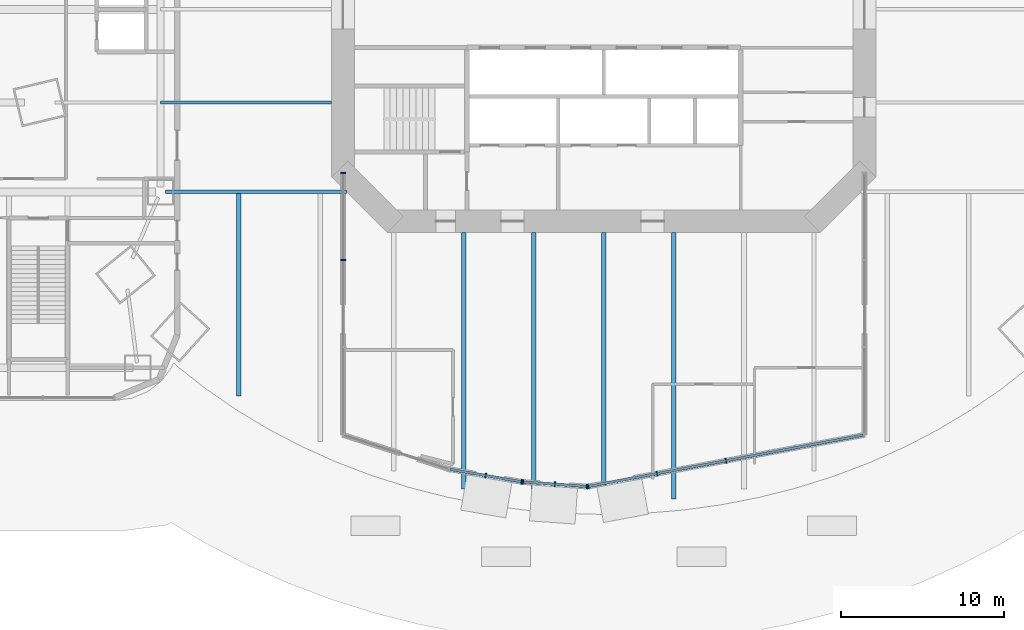
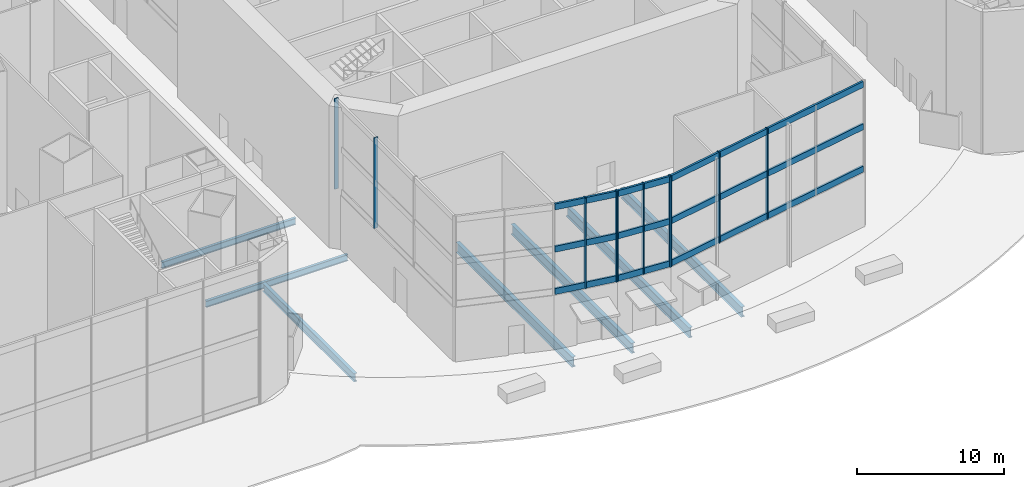
# One storey, part 3 of 23: 19 members, 7 beams, 4 elements without a shape of their own.
"""IFC4 building model written with IfcOpenShell, lengths in metres."""

from ifc_helpers import new_model, si_unit, direction, frame, origin, origin_2d, place, context, subcontext, project, spatial, rectangle, i_section, extrude, material, material_profile, profile_set, type_object, element, aggregate, save


model = new_model("IFC4")

# Units and contexts
model_context = context("Model", 3, precision=1e-05, world=origin(), true_north=direction((0.0, 1.0)))
body_context = subcontext(model_context, "Body", "Model", "MODEL_VIEW")
ifc_project = project(units=[si_unit("LENGTHUNIT", "METRE"), si_unit("AREAUNIT", "SQUARE_METRE"), si_unit("VOLUMEUNIT", "CUBIC_METRE"), si_unit("PLANEANGLEUNIT", "RADIAN"), si_unit("MASSUNIT", "GRAM", prefix="KILO")], contexts=[model_context])

# Site, building, storey
site_placement = place(None, origin())
site = spatial("IfcSite", under=ifc_project, at=site_placement, CompositionType="ELEMENT")
building_placement = place(site_placement, origin())
building = spatial("IfcBuilding", under=site, at=building_placement, Name="Marenthal Gate Tower", CompositionType="ELEMENT")
storey_placement = place(building_placement, origin())
storey = spatial("IfcBuildingStorey", under=building, at=storey_placement, Name="L00", CompositionType="ELEMENT", Elevation=0.0)

# Curtain wall, members
ifc_material_1 = material(Name="Aluminium and glass", Category="aluminium")
curtain_wall_type = type_object("IfcCurtainWallType", Name="Curtain wall arch infill", PredefinedType="NOTDEFINED", material=ifc_material_1)
curtain_wall_1_placement = place(storey_placement, origin())
curtain_wall_1 = element("IfcCurtainWall", 1, at=curtain_wall_1_placement, inside=storey, type_object=curtain_wall_type, Name="Curtain wall L00 arch S2", PredefinedType="NOTDEFINED")
ifc_material_2 = material(Name="Aluminium", Category="aluminium")
ifc_material_profile_1 = material_profile(ifc_material_2, rectangle(XDim=0.300048828125, YDim=0.080078125, at=origin_2d()), Name="80x300 aluminium mullion")
ifc_profile_set_1 = profile_set([ifc_material_profile_1], Name="Aluminium")
member_type_1 = type_object("IfcMemberType", Name="Mullion 80x300 arch infill", PredefinedType="MULLION", material=ifc_profile_set_1)
member_1_placement = place(storey_placement, frame((-7.25, -28.61181640625, 4.5), z_axis=(0.0, 0.0, 1.0), x_axis=(0.171972780668, 0.985101701709, 0.0)))
member_1 = element("IfcMember", 2, at=member_1_placement, type_object=member_type_1, Name="Mullion L00 arch S2.2", PredefinedType="MULLION", context=body_context, shape_type="SweptSolid", body=[
    extrude(rectangle(XDim=0.300048828125, YDim=0.080078125, at=origin_2d()), origin(), (0.0, 0.0, 1.0), 7.5),
])
member_2_placement = place(storey_placement, frame((-5.039306640625, -28.997802734375, 4.5), z_axis=(0.0, 0.0, 1.0), x_axis=(0.171972780668, 0.985101701709, 0.0)))
member_2 = element("IfcMember", 3, at=member_2_placement, type_object=member_type_1, Name="Mullion L00 arch S2.3", PredefinedType="MULLION", context=body_context, shape_type="SweptSolid", body=[
    extrude(rectangle(XDim=0.300048828125, YDim=0.080078125, at=origin_2d()), origin(), (0.0, 0.0, 1.0), 7.5),
])

curtain_wall_2_placement = place(storey_placement, origin())
curtain_wall_2 = element("IfcCurtainWall", 4, at=curtain_wall_2_placement, inside=storey, type_object=curtain_wall_type, Name="Curtain wall L00 arch S3", PredefinedType="NOTDEFINED")
member_3_placement = place(storey_placement, frame((-4.960205078125, -29.00732421875, 4.5), z_axis=(0.0, 0.0, 1.0), x_axis=(0.070734733401, 0.997495161638, 0.0)))
member_3 = element("IfcMember", 5, at=member_3_placement, type_object=member_type_1, Name="Mullion L00 arch S3.1", PredefinedType="MULLION", context=body_context, shape_type="SweptSolid", body=[
    extrude(rectangle(XDim=0.300048828125, YDim=0.080078125, at=origin_2d()), origin(), (0.0, 0.0, 1.0), 7.5),
])
member_4_placement = place(storey_placement, frame((-3.0, -29.146484375, 4.5), z_axis=(0.0, 0.0, 1.0), x_axis=(0.070734733401, 0.997495161638, 0.0)))
member_4 = element("IfcMember", 6, at=member_4_placement, type_object=member_type_1, Name="Mullion L00 arch S3.2", PredefinedType="MULLION", context=body_context, shape_type="SweptSolid", body=[
    extrude(rectangle(XDim=0.300048828125, YDim=0.080078125, at=origin_2d()), origin(), (0.0, 0.0, 1.0), 7.5),
])
member_5_placement = place(storey_placement, frame((-1.039794921875, -29.285400390625, 4.5), z_axis=(0.0, 0.0, 1.0), x_axis=(0.070734733401, 0.997495161638, 0.0)))
member_5 = element("IfcMember", 7, at=member_5_placement, type_object=member_type_1, Name="Mullion L00 arch S3.3", PredefinedType="MULLION", context=body_context, shape_type="SweptSolid", body=[
    extrude(rectangle(XDim=0.300048828125, YDim=0.080078125, at=origin_2d()), origin(), (0.0, 0.0, 1.0), 7.5),
])

curtain_wall_3_placement = place(storey_placement, origin())
curtain_wall_3 = element("IfcCurtainWall", 8, at=curtain_wall_3_placement, inside=storey, type_object=curtain_wall_type, Name="Curtain wall L00 arch S4", PredefinedType="NOTDEFINED")
member_6_placement = place(storey_placement, frame((-0.960693359375, -29.281005859375, 4.5), z_axis=(0.0, 0.0, 1.0), x_axis=(-0.183356787375, 0.983046432537, 0.0)))
member_6 = element("IfcMember", 9, at=member_6_placement, type_object=member_type_1, Name="Mullion L00 arch S4.1", PredefinedType="MULLION", context=body_context, shape_type="SweptSolid", body=[
    extrude(rectangle(XDim=0.300048828125, YDim=0.080078125, at=origin_2d()), origin(), (0.0, 0.0, 1.0), 7.5),
])
member_7_placement = place(storey_placement, frame((3.269775390625, -28.491943359375, 4.5), z_axis=(0.0, 0.0, 1.0), x_axis=(-0.183356787375, 0.983046432537, 0.0)))
member_7 = element("IfcMember", 10, at=member_7_placement, type_object=member_type_1, Name="Mullion L00 arch S4.2", PredefinedType="MULLION", context=body_context, shape_type="SweptSolid", body=[
    extrude(rectangle(XDim=0.300048828125, YDim=0.080078125, at=origin_2d()), origin(), (0.0, 0.0, 1.0), 7.5),
])
member_8_placement = place(storey_placement, frame((7.5, -27.702880859375, 4.5), z_axis=(0.0, 0.0, 1.0), x_axis=(-0.183356787375, 0.983046432537, 0.0)))
member_8 = element("IfcMember", 11, at=member_8_placement, type_object=member_type_1, Name="Mullion L00 arch S4.3", PredefinedType="MULLION", context=body_context, shape_type="SweptSolid", body=[
    extrude(rectangle(XDim=0.300048828125, YDim=0.080078125, at=origin_2d()), origin(), (0.0, 0.0, 1.0), 7.5),
])

curtain_wall_4_placement = place(storey_placement, origin())
curtain_wall_4 = element("IfcCurtainWall", 12, at=curtain_wall_4_placement, inside=storey, type_object=curtain_wall_type, Name="Curtain wall L00 hall SW1", PredefinedType="NOTDEFINED")
member_9_placement = place(storey_placement, frame((-16.0, -10.0400390625, 4.5), z_axis=(0.0, 0.0, 1.0), x_axis=(1.0, 0.0, 0.0)))
member_9 = element("IfcMember", 13, at=member_9_placement, type_object=member_type_1, Name="Mullion L00 hall SW1.1", PredefinedType="MULLION", context=body_context, shape_type="SweptSolid", body=[
    extrude(rectangle(XDim=0.300048828125, YDim=0.080078125, at=origin_2d()), origin(), (0.0, 0.0, 1.0), 7.5),
])
member_10_placement = place(storey_placement, frame((-16.0, -15.3857421875, 4.5), z_axis=(0.0, 0.0, 1.0), x_axis=(1.0, 0.0, 0.0)))
member_10 = element("IfcMember", 14, at=member_10_placement, type_object=member_type_1, Name="Mullion L00 hall SW1.2", PredefinedType="MULLION", context=body_context, shape_type="SweptSolid", body=[
    extrude(rectangle(XDim=0.300048828125, YDim=0.080078125, at=origin_2d()), origin(), (0.0, 0.0, 1.0), 7.5),
])
aggregate(curtain_wall_4, [member_9, member_10])

# Member
ifc_material_3 = material(Name="Aluminium", Category="aluminium")
ifc_material_profile_2 = material_profile(ifc_material_3, rectangle(XDim=0.159912109375, YDim=0.5, at=origin_2d()), Name="160x500 aluminium transom")
ifc_profile_set_2 = profile_set([ifc_material_profile_2], Name="Aluminium")
member_type_2 = type_object("IfcMemberType", Name="Transom 160x500 arch infill", PredefinedType="USERDEFINED", material=ifc_profile_set_2)
member_11_placement = place(storey_placement, frame((-9.421142578125, -28.232666015625, 4.75), z_axis=(0.985101388271, -0.171974576104, 0.0), x_axis=(0.171974576104, 0.985101388271, 0.0)))
member_11 = element("IfcMember", 15, at=member_11_placement, type_object=member_type_2, Name="Transom L00 arch S2.1", ObjectType="TRANSOM", PredefinedType="USERDEFINED", context=body_context, shape_type="SweptSolid", body=[
    extrude(rectangle(XDim=0.159912109375, YDim=0.5, at=origin_2d()), origin(), (0.0, 0.0, 1.0), 4.407958984375),
])

member_12_placement = place(storey_placement, frame((-9.421142578125, -28.232666015625, 8.25), z_axis=(0.985101388271, -0.171974576104, 0.0), x_axis=(0.171974576104, 0.985101388271, 0.0)))
member_12 = element("IfcMember", 16, at=member_12_placement, type_object=member_type_2, Name="Transom L00 arch S2.2", ObjectType="TRANSOM", PredefinedType="USERDEFINED", context=body_context, shape_type="SweptSolid", body=[
    extrude(rectangle(XDim=0.159912109375, YDim=0.5, at=origin_2d()), origin(), (0.0, 0.0, 1.0), 4.407958984375),
])

member_13_placement = place(storey_placement, frame((-9.421142578125, -28.232666015625, 11.75), z_axis=(0.985101388271, -0.171974576104, 0.0), x_axis=(0.171974576104, 0.985101388271, 0.0)))
member_13 = element("IfcMember", 17, at=member_13_placement, type_object=member_type_2, Name="Transom L00 arch S2.3", ObjectType="TRANSOM", PredefinedType="USERDEFINED", context=body_context, shape_type="SweptSolid", body=[
    extrude(rectangle(XDim=0.159912109375, YDim=0.5, at=origin_2d()), origin(), (0.0, 0.0, 1.0), 4.407958984375),
])

aggregate(curtain_wall_1, [member_1, member_2, member_11, member_12, member_13])

member_14_placement = place(storey_placement, frame((-4.920166015625, -29.01025390625, 4.75), z_axis=(0.997497180855, -0.070706252807, 0.0), x_axis=(0.070706252807, 0.997497180855, 0.0)))
member_14 = element("IfcMember", 18, at=member_14_placement, type_object=member_type_2, Name="Transom L00 arch S3.1", ObjectType="TRANSOM", PredefinedType="USERDEFINED", context=body_context, shape_type="SweptSolid", body=[
    extrude(rectangle(XDim=0.159912109375, YDim=0.5, at=origin_2d()), origin(), (0.0, 0.0, 1.0), 3.849853515625),
])

member_15_placement = place(storey_placement, frame((-4.920166015625, -29.01025390625, 8.25), z_axis=(0.997497180855, -0.070706252807, 0.0), x_axis=(0.070706252807, 0.997497180855, 0.0)))
member_15 = element("IfcMember", 19, at=member_15_placement, type_object=member_type_2, Name="Transom L00 arch S3.2", ObjectType="TRANSOM", PredefinedType="USERDEFINED", context=body_context, shape_type="SweptSolid", body=[
    extrude(rectangle(XDim=0.159912109375, YDim=0.5, at=origin_2d()), origin(), (0.0, 0.0, 1.0), 3.849853515625),
])

member_16_placement = place(storey_placement, frame((-4.920166015625, -29.01025390625, 11.75), z_axis=(0.997497180855, -0.070706252807, 0.0), x_axis=(0.070706252807, 0.997497180855, 0.0)))
member_16 = element("IfcMember", 20, at=member_16_placement, type_object=member_type_2, Name="Transom L00 arch S3.3", ObjectType="TRANSOM", PredefinedType="USERDEFINED", context=body_context, shape_type="SweptSolid", body=[
    extrude(rectangle(XDim=0.159912109375, YDim=0.5, at=origin_2d()), origin(), (0.0, 0.0, 1.0), 3.849853515625),
])

aggregate(curtain_wall_2, [member_3, member_4, member_5, member_14, member_15, member_16])

member_17_placement = place(storey_placement, frame((-0.92138671875, -29.273681640625, 4.75), z_axis=(0.983045326162, 0.183362718981, 0.0), x_axis=(-0.183362718981, 0.983045326162, 0.0)))
member_17 = element("IfcMember", 21, at=member_17_placement, type_object=member_type_2, Name="Transom L00 arch S4.1", ObjectType="TRANSOM", PredefinedType="USERDEFINED", context=body_context, shape_type="SweptSolid", body=[
    extrude(rectangle(XDim=0.159912109375, YDim=0.5, at=origin_2d()), origin(), (0.0, 0.0, 1.0), 17.13330078125),
])

member_18_placement = place(storey_placement, frame((-0.92138671875, -29.273681640625, 8.25), z_axis=(0.983045326162, 0.183362718981, 0.0), x_axis=(-0.183362718981, 0.983045326162, 0.0)))
member_18 = element("IfcMember", 22, at=member_18_placement, type_object=member_type_2, Name="Transom L00 arch S4.2", ObjectType="TRANSOM", PredefinedType="USERDEFINED", context=body_context, shape_type="SweptSolid", body=[
    extrude(rectangle(XDim=0.159912109375, YDim=0.5, at=origin_2d()), origin(), (0.0, 0.0, 1.0), 17.13330078125),
])

member_19_placement = place(storey_placement, frame((-0.92138671875, -29.273681640625, 11.75), z_axis=(0.983045326162, 0.183362718981, 0.0), x_axis=(-0.183362718981, 0.983045326162, 0.0)))
member_19 = element("IfcMember", 23, at=member_19_placement, type_object=member_type_2, Name="Transom L00 arch S4.3", ObjectType="TRANSOM", PredefinedType="USERDEFINED", context=body_context, shape_type="SweptSolid", body=[
    extrude(rectangle(XDim=0.159912109375, YDim=0.5, at=origin_2d()), origin(), (0.0, 0.0, 1.0), 17.13330078125),
])

aggregate(curtain_wall_3, [member_6, member_7, member_8, member_17, member_18, member_19])

# Beams
ifc_material_4 = material(Name="Steel S355", Category="steel")
ifc_material_profile_3 = material_profile(ifc_material_4, i_section(OverallWidth=0.2099609375, OverallDepth=0.535888671875, WebThickness=0.010986328125, FlangeThickness=0.017333984375, FilletRadius=0.0126953125, at=origin_2d()), Name="W530X101")
ifc_profile_set_3 = profile_set([ifc_material_profile_3], Name="Steel S355")
beam_type_1 = type_object("IfcBeamType", Name="W530X101 beam", PredefinedType="BEAM", material=ifc_profile_set_3)
beam_1_placement = place(storey_placement, frame((-16.699951171875, -5.716064453125, -0.51806640625), z_axis=(-1.0, 0.0, 0.0), x_axis=(0.0, -1.0, 0.0)))
element("IfcBeam", 24, at=beam_1_placement, inside=storey, type_object=beam_type_1, Name="BM-L00-140", PredefinedType="BEAM", context=body_context, shape_type="SweptSolid", body=[
    extrude(i_section(OverallWidth=0.2099609375, OverallDepth=0.535888671875, WebThickness=0.010986328125, FlangeThickness=0.017333984375, FilletRadius=0.0126953125, at=origin_2d()), origin(), (0.0, 0.0, 1.0), 10.5),
])
beam_2_placement = place(storey_placement, frame((-15.7900390625, -11.199951171875, -0.51806640625), z_axis=(-1.0, 0.0, 0.0), x_axis=(0.0, -1.0, 0.0)))
element("IfcBeam", 25, at=beam_2_placement, inside=storey, type_object=beam_type_1, Name="BM-L00-144", PredefinedType="BEAM", context=body_context, shape_type="SweptSolid", body=[
    extrude(i_section(OverallWidth=0.2099609375, OverallDepth=0.535888671875, WebThickness=0.010986328125, FlangeThickness=0.017333984375, FilletRadius=0.0126953125, at=origin_2d()), origin(), (0.0, 0.0, 1.0), 11.10986328125),
])
ifc_material_5 = material(Name="Steel S355", Category="steel")
ifc_material_profile_4 = material_profile(ifc_material_5, i_section(OverallWidth=0.25390625, OverallDepth=0.68310546875, WebThickness=0.012451171875, FlangeThickness=0.018798828125, FilletRadius=0.01513671875, at=origin_2d()), Name="W690X140")
ifc_profile_set_4 = profile_set([ifc_material_profile_4], Name="Steel S355")
beam_type_2 = type_object("IfcBeamType", Name="W690X140 beam", PredefinedType="BEAM", material=ifc_profile_set_4)
beam_3_placement = place(storey_placement, frame((-22.39990234375, -11.304931640625, -0.591552734375), z_axis=(0.0, -1.0, 0.0), x_axis=(1.0, 0.0, 0.0)))
element("IfcBeam", 26, at=beam_3_placement, inside=storey, type_object=beam_type_2, Name="BM-L00-166", PredefinedType="BEAM", context=body_context, shape_type="SweptSolid", body=[
    extrude(i_section(OverallWidth=0.25390625, OverallDepth=0.68310546875, WebThickness=0.012451171875, FlangeThickness=0.018798828125, FilletRadius=0.01513671875, at=origin_2d()), origin(), (0.0, 0.0, 1.0), 12.435302734375),
])
ifc_material_6 = material(Name="Steel S355", Category="steel")
ifc_material_profile_5 = material_profile(ifc_material_6, i_section(OverallWidth=0.2919921875, OverallDepth=0.841064453125, WebThickness=0.0146484375, FlangeThickness=0.021728515625, FilletRadius=0.017822265625, at=origin_2d()), Name="W840X193")
ifc_profile_set_5 = profile_set([ifc_material_profile_5], Name="Steel S355")
beam_type_3 = type_object("IfcBeamType", Name="W840X193 beam", PredefinedType="BEAM", material=ifc_profile_set_5)
beam_4_placement = place(storey_placement, frame((-8.60009765625, -13.699951171875, -0.67041015625), z_axis=(0.0, -1.0, 0.0), x_axis=(1.0, 0.0, 0.0)))
element("IfcBeam", 27, at=beam_4_placement, inside=storey, type_object=beam_type_3, Name="BM-L00-148", PredefinedType="BEAM", context=body_context, shape_type="SweptSolid", body=[
    extrude(i_section(OverallWidth=0.2919921875, OverallDepth=0.841064453125, WebThickness=0.0146484375, FlangeThickness=0.021728515625, FilletRadius=0.017822265625, at=origin_2d()), origin(), (0.0, 0.0, 1.0), 15.735107421875),
])
beam_5_placement = place(storey_placement, frame((-4.300048828125, -13.699951171875, -0.67041015625), z_axis=(0.0, -1.0, 0.0), x_axis=(1.0, 0.0, 0.0)))
element("IfcBeam", 28, at=beam_5_placement, inside=storey, type_object=beam_type_3, Name="BM-L00-150", PredefinedType="BEAM", context=body_context, shape_type="SweptSolid", body=[
    extrude(i_section(OverallWidth=0.2919921875, OverallDepth=0.841064453125, WebThickness=0.0146484375, FlangeThickness=0.021728515625, FilletRadius=0.017822265625, at=origin_2d()), origin(), (0.0, 0.0, 1.0), 16.343994140625),
])
beam_6_placement = place(storey_placement, frame((0.0, -13.699951171875, -0.67041015625), z_axis=(0.0, -1.0, 0.0), x_axis=(1.0, 0.0, 0.0)))
element("IfcBeam", 29, at=beam_6_placement, inside=storey, type_object=beam_type_3, Name="BM-L00-152", PredefinedType="BEAM", context=body_context, shape_type="SweptSolid", body=[
    extrude(i_section(OverallWidth=0.2919921875, OverallDepth=0.841064453125, WebThickness=0.0146484375, FlangeThickness=0.021728515625, FilletRadius=0.017822265625, at=origin_2d()), origin(), (0.0, 0.0, 1.0), 16.69873046875),
])
beam_7_placement = place(storey_placement, frame((4.300048828125, -13.699951171875, -0.67041015625), z_axis=(0.0, -1.0, 0.0), x_axis=(1.0, 0.0, 0.0)))
element("IfcBeam", 30, at=beam_7_placement, inside=storey, type_object=beam_type_3, Name="BM-L00-154", PredefinedType="BEAM", context=body_context, shape_type="SweptSolid", body=[
    extrude(i_section(OverallWidth=0.2919921875, OverallDepth=0.841064453125, WebThickness=0.0146484375, FlangeThickness=0.021728515625, FilletRadius=0.017822265625, at=origin_2d()), origin(), (0.0, 0.0, 1.0), 16.343994140625),
])

save(model, "model.ifc")
